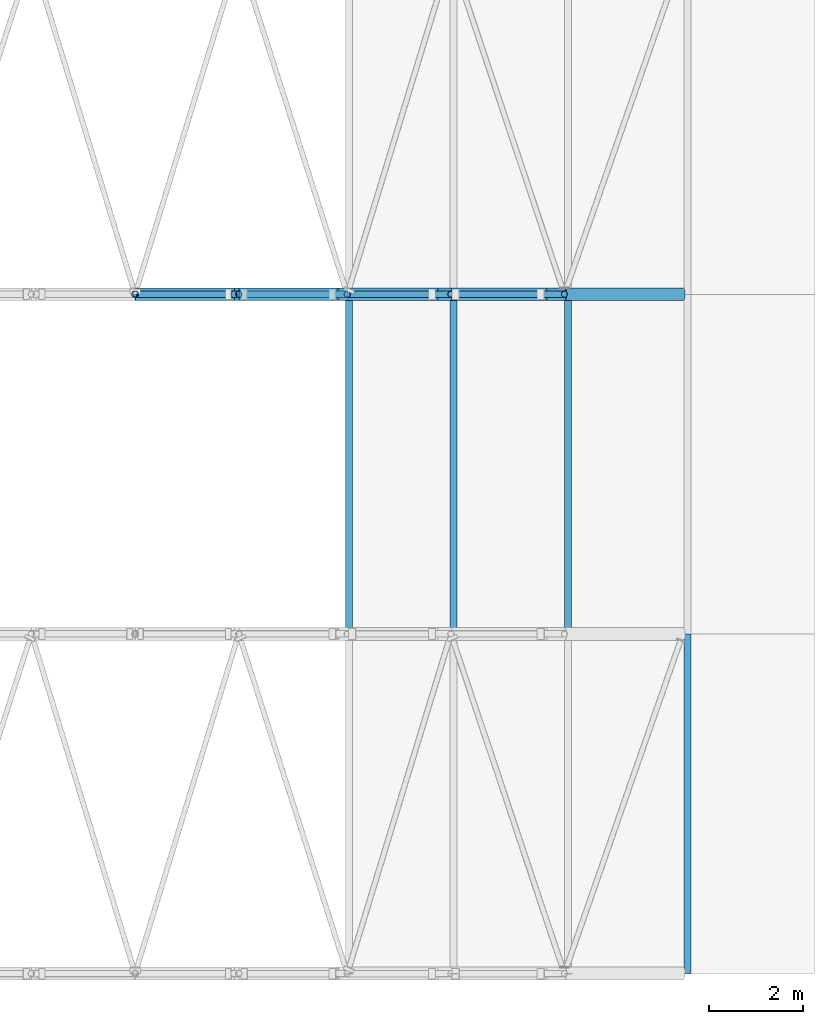
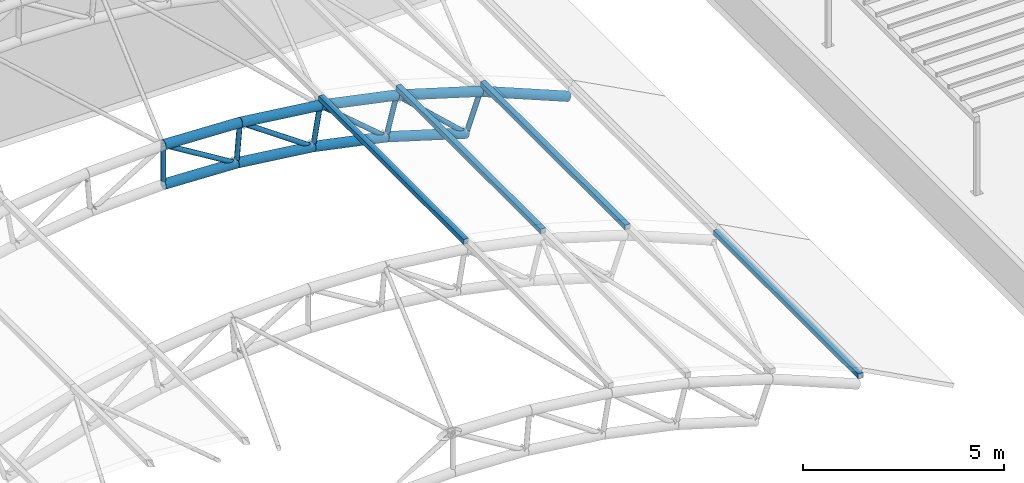
# One storey, part 10 of 92: 22 members.
"""IFC4 building model written with IfcOpenShell, lengths in metres."""

from ifc_helpers import new_model, si_unit, direction, frame, origin, origin_2d, place, context, subcontext, project, spatial, hollow_rectangle, hollow_circle, extrude, material, material_profile, profile_set, type_object, element, save


model = new_model("IFC4")

# Units and contexts
model_context = context("Model", 3, precision=1e-05, world=origin(), true_north=direction((0.0, 1.0)))
body_context = subcontext(model_context, "Body", "Model", "MODEL_VIEW")
ifc_project = project(units=[si_unit("LENGTHUNIT", "METRE"), si_unit("AREAUNIT", "SQUARE_METRE"), si_unit("VOLUMEUNIT", "CUBIC_METRE"), si_unit("PLANEANGLEUNIT", "RADIAN"), si_unit("MASSUNIT", "GRAM", prefix="KILO")], contexts=[model_context])

# Site, building, storey
site_placement = place(None, origin())
site = spatial("IfcSite", under=ifc_project, at=site_placement, CompositionType="ELEMENT")
building_placement = place(site_placement, origin())
building = spatial("IfcBuilding", under=site, at=building_placement, Name="Laocheng Heights Fire and Rescue Headquarters", CompositionType="ELEMENT")
storey_placement = place(building_placement, frame((0.0, 0.0, 12.60009765625)))
storey = spatial("IfcBuildingStorey", under=building, at=storey_placement, Name="L03", CompositionType="ELEMENT", Elevation=12.60009765625)

# Members
ifc_material_1 = material(Name="Steel Q355B", Category="steel")
ifc_material_profile_1 = material_profile(ifc_material_1, hollow_circle(Radius=0.136474609375, WallThickness=0.011962890625, at=origin_2d()), Name="CHS 273x12")
ifc_profile_set_1 = profile_set([ifc_material_profile_1], Name="Steel Q355B")
member_type_1 = type_object("IfcMemberType", Name="BAY ROOF CHORD CHS 273x12", PredefinedType="CHORD", material=ifc_profile_set_1)
member_1_placement = place(storey_placement, frame((36.0, 14.39990234375, 4.199951171875), z_axis=(0.999178454192, 0.0, -0.04052674028), x_axis=(0.0, 1.0, 0.0)))
element("IfcMember", 1, at=member_1_placement, inside=storey, type_object=member_type_1, Name="Truss TR3 upper chord 09", PredefinedType="CHORD", context=body_context, shape_type="SweptSolid", body=[
    extrude(hollow_circle(Radius=0.136474609375, WallThickness=0.011962890625, at=origin_2d()), origin(), (0.0, 0.0, 1.0), 2.19873046875),
])
member_2_placement = place(storey_placement, frame((38.197021484375, 14.39990234375, 4.11083984375), z_axis=(0.992472661513, 0.0, -0.122466387834), x_axis=(0.0, 1.0, 0.0)))
element("IfcMember", 2, at=member_2_placement, inside=storey, type_object=member_type_1, Name="Truss TR3 upper chord 10", PredefinedType="CHORD", context=body_context, shape_type="SweptSolid", body=[
    extrude(hollow_circle(Radius=0.136474609375, WallThickness=0.011962890625, at=origin_2d()), origin(), (0.0, 0.0, 1.0), 2.318359375),
])
member_3_placement = place(storey_placement, frame((40.498046875, 14.39990234375, 3.826904296875), z_axis=(0.978761692997, 0.0, -0.205001337366), x_axis=(0.0, 1.0, 0.0)))
element("IfcMember", 3, at=member_3_placement, inside=storey, type_object=member_type_1, Name="Truss TR3 upper chord 11", PredefinedType="CHORD", context=body_context, shape_type="SweptSolid", body=[
    extrude(hollow_circle(Radius=0.136474609375, WallThickness=0.011962890625, at=origin_2d()), origin(), (0.0, 0.0, 1.0), 2.24365234375),
])
member_4_placement = place(storey_placement, frame((42.694091796875, 14.39990234375, 3.366943359375), z_axis=(0.957141950911, 0.0, -0.289619208282), x_axis=(0.0, 1.0, 0.0)))
element("IfcMember", 4, at=member_4_placement, inside=storey, type_object=member_type_1, Name="Truss TR3 upper chord 12", PredefinedType="CHORD", context=body_context, shape_type="SweptSolid", body=[
    extrude(hollow_circle(Radius=0.136474609375, WallThickness=0.011962890625, at=origin_2d()), origin(), (0.0, 0.0, 1.0), 2.513671875),
])
member_5_placement = place(storey_placement, frame((45.10009765625, 14.39990234375, 2.638916015625), z_axis=(0.925005702024, 0.0, -0.379953222415), x_axis=(0.0, 1.0, 0.0)))
element("IfcMember", 5, at=member_5_placement, inside=storey, type_object=member_type_1, Name="Truss TR3 upper chord 13", PredefinedType="CHORD", context=body_context, shape_type="SweptSolid", body=[
    extrude(hollow_circle(Radius=0.136474609375, WallThickness=0.011962890625, at=origin_2d()), origin(), (0.0, 0.0, 1.0), 2.713623046875),
])
member_6_placement = place(storey_placement, frame((36.0, 14.39990234375, 3.0), z_axis=(0.999177972736, 0.0, -0.040538608752), x_axis=(0.0, 1.0, 0.0)))
element("IfcMember", 6, at=member_6_placement, inside=storey, type_object=member_type_1, Name="Truss TR3 lower chord 09", PredefinedType="CHORD", context=body_context, shape_type="SweptSolid", body=[
    extrude(hollow_circle(Radius=0.136474609375, WallThickness=0.011962890625, at=origin_2d()), origin(), (0.0, 0.0, 1.0), 2.101806640625),
])
member_7_placement = place(storey_placement, frame((38.10009765625, 14.39990234375, 2.914794921875), z_axis=(0.992444716413, 0.0, -0.122692643889), x_axis=(0.0, 1.0, 0.0)))
element("IfcMember", 7, at=member_7_placement, inside=storey, type_object=member_type_1, Name="Truss TR3 lower chord 10", PredefinedType="CHORD", context=body_context, shape_type="SweptSolid", body=[
    extrude(hollow_circle(Radius=0.136474609375, WallThickness=0.011962890625, at=origin_2d()), origin(), (0.0, 0.0, 1.0), 2.216796875),
])
member_8_placement = place(storey_placement, frame((40.300048828125, 14.39990234375, 2.642822265625), z_axis=(0.978749745758, 0.0, -0.205058370173), x_axis=(0.0, 1.0, 0.0)))
element("IfcMember", 8, at=member_8_placement, inside=storey, type_object=member_type_1, Name="Truss TR3 lower chord 11", PredefinedType="CHORD", context=body_context, shape_type="SweptSolid", body=[
    extrude(hollow_circle(Radius=0.136474609375, WallThickness=0.011962890625, at=origin_2d()), origin(), (0.0, 0.0, 1.0), 2.1455078125),
])
member_9_placement = place(storey_placement, frame((42.39990234375, 14.39990234375, 2.202880859375), z_axis=(0.957132854261, 0.0, -0.289649269451), x_axis=(0.0, 1.0, 0.0)))
element("IfcMember", 9, at=member_9_placement, inside=storey, type_object=member_type_1, Name="Truss TR3 lower chord 12", PredefinedType="CHORD", context=body_context, shape_type="SweptSolid", body=[
    extrude(hollow_circle(Radius=0.136474609375, WallThickness=0.011962890625, at=origin_2d()), origin(), (0.0, 0.0, 1.0), 2.403076171875),
])
ifc_material_2 = material(Name="Steel Q355B", Category="steel")
ifc_material_profile_2 = material_profile(ifc_material_2, hollow_circle(Radius=0.06982421875, WallThickness=0.006103515625, at=origin_2d()), Name="CHS 139.7x6")
ifc_profile_set_2 = profile_set([ifc_material_profile_2], Name="Steel Q355B")
member_type_2 = type_object("IfcMemberType", Name="BAY ROOF DIAG CHS 139.7x6", PredefinedType="BRACE", material=ifc_profile_set_2)
member_10_placement = place(storey_placement, frame((38.10009765625, 14.39990234375, 2.914794921875), z_axis=(-0.852963029568, 0.0, 0.521971330812), x_axis=(0.0, -1.0, 0.0)))
element("IfcMember", 10, at=member_10_placement, inside=storey, type_object=member_type_2, Name="Truss diagonal TR3-09", PredefinedType="BRACE", context=body_context, shape_type="SweptSolid", body=[
    extrude(hollow_circle(Radius=0.06982421875, WallThickness=0.006103515625, at=origin_2d()), origin(), (0.0, 0.0, 1.0), 2.462158203125),
])
member_11_placement = place(storey_placement, frame((40.300048828125, 14.39990234375, 2.642822265625), z_axis=(-0.819982530229, 0.0, 0.572388548208), x_axis=(0.0, -1.0, 0.0)))
element("IfcMember", 11, at=member_11_placement, inside=storey, type_object=member_type_2, Name="Truss diagonal TR3-10", PredefinedType="BRACE", context=body_context, shape_type="SweptSolid", body=[
    extrude(hollow_circle(Radius=0.06982421875, WallThickness=0.006103515625, at=origin_2d()), origin(), (0.0, 0.0, 1.0), 2.564697265625),
])
member_12_placement = place(storey_placement, frame((42.39990234375, 14.39990234375, 2.202880859375), z_axis=(-0.760468082099, 0.0, 0.649375312211), x_axis=(0.0, -1.0, 0.0)))
element("IfcMember", 12, at=member_12_placement, inside=storey, type_object=member_type_2, Name="Truss diagonal TR3-11", PredefinedType="BRACE", context=body_context, shape_type="SweptSolid", body=[
    extrude(hollow_circle(Radius=0.06982421875, WallThickness=0.006103515625, at=origin_2d()), origin(), (0.0, 0.0, 1.0), 2.5009765625),
])
member_13_placement = place(storey_placement, frame((44.699951171875, 14.39990234375, 1.5068359375), z_axis=(-0.733244694838, 0.0, 0.679964864895), x_axis=(0.0, -1.0, 0.0)))
element("IfcMember", 13, at=member_13_placement, inside=storey, type_object=member_type_2, Name="Truss diagonal TR3-12", PredefinedType="BRACE", context=body_context, shape_type="SweptSolid", body=[
    extrude(hollow_circle(Radius=0.06982421875, WallThickness=0.006103515625, at=origin_2d()), origin(), (0.0, 0.0, 1.0), 2.735595703125),
])
ifc_material_3 = material(Name="Steel Q355B", Category="steel")
ifc_material_profile_3 = material_profile(ifc_material_3, hollow_circle(Radius=0.06982421875, WallThickness=0.006103515625, at=origin_2d()), Name="CHS 139.7x6")
ifc_profile_set_3 = profile_set([ifc_material_profile_3], Name="Steel Q355B")
member_type_3 = type_object("IfcMemberType", Name="BAY ROOF POST CHS 139.7x6", PredefinedType="POST", material=ifc_profile_set_3)
for number, where, z_axis, x_axis, name in (
    (14, (36.0, 14.39990234375, 3.0), (0.0, 0.0, 1.0), (1.0, 0.0, 0.0), "Truss TR3 radial post 08"),
    (15, (38.10009765625, 14.39990234375, 2.914794921875), (0.080772165441, 0.0, 0.996732590663), (0.0, 1.0, 0.0), "Truss TR3 radial post 09"),
):
    element("IfcMember", number, at=place(storey_placement, frame(where, z_axis=z_axis, x_axis=x_axis)), inside=storey, type_object=member_type_3, Name=name, PredefinedType="POST", context=body_context, shape_type="SweptSolid", body=[
        extrude(hollow_circle(Radius=0.06982421875, WallThickness=0.006103515625, at=origin_2d()), origin(), (0.0, 0.0, 1.0), 1.199951171875),
    ])
member_14_placement = place(storey_placement, frame((40.300048828125, 14.39990234375, 2.642822265625), z_axis=(0.164926605807, 0.0, 0.986305842372), x_axis=(0.0, 1.0, 0.0)))
element("IfcMember", 16, at=member_14_placement, inside=storey, type_object=member_type_3, Name="Truss TR3 radial post 10", PredefinedType="POST", context=body_context, shape_type="SweptSolid", body=[
    extrude(hollow_circle(Radius=0.06982421875, WallThickness=0.006103515625, at=origin_2d()), origin(), (0.0, 0.0, 1.0), 1.200439453125),
])
for number, where, z_axis, x_axis, name in (
    (17, (42.39990234375, 14.39990234375, 2.202880859375), (0.24502273224, 0.0, 0.969517333876), (0.0, 1.0, 0.0), "Truss TR3 radial post 11"),
    (18, (44.699951171875, 14.39990234375, 1.5068359375), (0.333256144539, 0.0, 0.942836328387), (0.0, 1.0, 0.0), "Truss TR3 radial post 12"),
):
    element("IfcMember", number, at=place(storey_placement, frame(where, z_axis=z_axis, x_axis=x_axis)), inside=storey, type_object=member_type_3, Name=name, PredefinedType="POST", context=body_context, shape_type="SweptSolid", body=[
        extrude(hollow_circle(Radius=0.06982421875, WallThickness=0.006103515625, at=origin_2d()), origin(), (0.0, 0.0, 1.0), 1.20068359375),
    ])
ifc_material_4 = material(Name="Steel Q355B", Category="steel")
ifc_material_profile_4 = material_profile(ifc_material_4, hollow_rectangle(XDim=0.14990234375, YDim=0.14990234375, WallThickness=0.008056640625, at=origin_2d()), Name="SHS 150x150x8")
ifc_profile_set_4 = profile_set([ifc_material_profile_4], Name="Steel Q355B")
member_type_4 = type_object("IfcMemberType", Name="BAY ROOF PURLIN SHS 150x150x8", PredefinedType="PURLIN", material=ifc_profile_set_4)
for number, where, z_axis, x_axis, name in (
    (19, (47.710693359375, 0.0, 1.822265625), (0.0, 1.0, 0.0), (-1.0, 0.0, 0.0), "Purlin 14.1"),
    (20, (40.534912109375, 7.199951171875, 4.047119140625), (0.0, 1.0, 0.0), (-1.0, 0.0, 0.0), "Purlin 11.2"),
    (21, (42.75, 7.199951171875, 3.588134765625), (0.0, 1.0, 0.0), (-1.0, 0.0, 0.0), "Purlin 12.2"),
    (22, (45.177490234375, 7.199951171875, 2.8583984375), (0.0, 1.0, 0.0), (-1.0, 0.0, 0.0), "Purlin 13.2"),
):
    element("IfcMember", number, at=place(storey_placement, frame(where, z_axis=z_axis, x_axis=x_axis)), inside=storey, type_object=member_type_4, Name=name, PredefinedType="PURLIN", context=body_context, shape_type="SweptSolid", body=[
        extrude(hollow_rectangle(XDim=0.14990234375, YDim=0.14990234375, WallThickness=0.008056640625, at=origin_2d()), origin(), (0.0, 0.0, 1.0), 7.199951171875),
    ])

save(model, "model.ifc")
